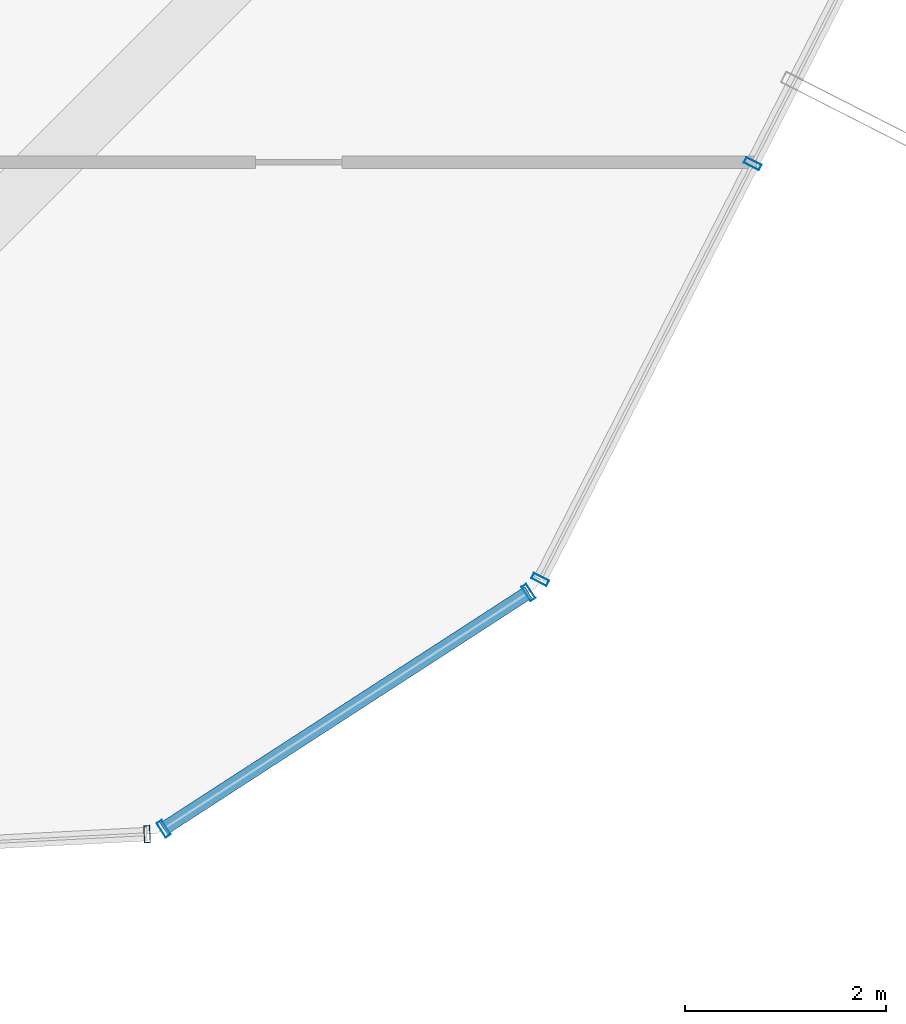
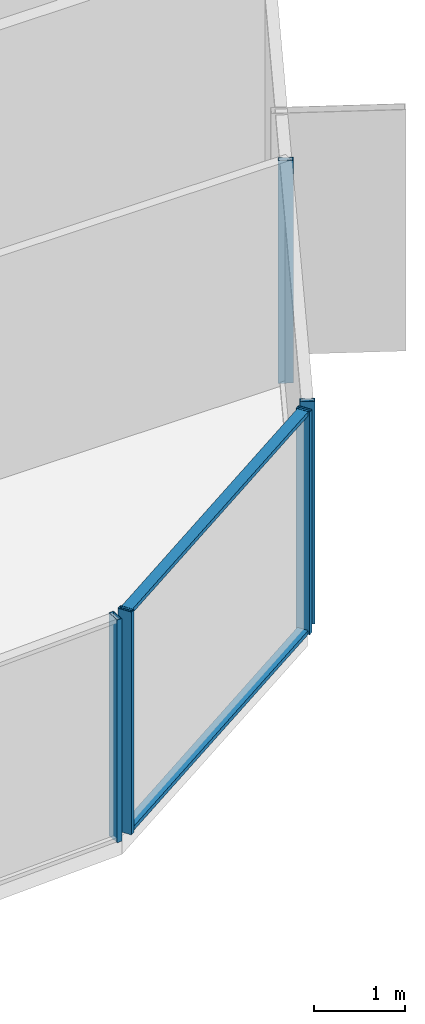
# One storey, part 14 of 37: 7 members, 3 elements without a shape of their own.
"""IFC4 building model written with IfcOpenShell, lengths in metres."""

import ifcopenshell
import ifcopenshell.guid

model = None  # the IFC model being written
_history = None  # IfcOwnerHistory: only IFC2X3 demands one
_inside = {}  # id of a spatial element -> (the spatial element, [elements in it])
_under = {}  # id of a project, library or spatial element -> (it, [spatial elements below it])
_declared = {}  # id of a project -> (the project, [libraries it declares])
_typed = {}  # id of a type object -> (the type object, [elements of that type])
_made_of = {}  # id of a material, layer set ... -> (it, [elements and type objects made of it])


def new_model(schema):
    """Start an empty IFC model of exactly this schema.

    Asked for "IFC4X3", IfcOpenShell would pick the latest addendum, in which some entities
    have other attributes; the version numbers below select the first issue.
    IFC2X3 requires an IfcOwnerHistory on every rooted entity: one is made here for all.
    """
    global model, _history
    if schema == "IFC4X3":
        model = ifcopenshell.file(schema_version=(4, 3, 0, 0))
    else:
        model = ifcopenshell.file(schema=schema)
    _inside.clear()
    _under.clear()
    _declared.clear()
    _typed.clear()
    _made_of.clear()
    _history = None
    if model.schema == "IFC2X3":
        org = make("IfcOrganization", Name="unknown")
        user = make(
            "IfcPersonAndOrganization",
            ThePerson=make("IfcPerson", FamilyName="unknown"),
            TheOrganization=org,
        )
        app = make(
            "IfcApplication",
            ApplicationDeveloper=org,
            Version="unknown",
            ApplicationFullName="unknown",
            ApplicationIdentifier="unknown",
        )
        _history = make(
            "IfcOwnerHistory",
            OwningUser=user,
            OwningApplication=app,
            ChangeAction="ADDED",
            CreationDate=0,
        )
    return model


def make(cls, **values):
    """One entity of the class cls with the attributes given. An attribute that is None is left unset."""
    return model.create_entity(
        cls, **{name: value for name, value in values.items() if value is not None}
    )


def rooted(cls, **values):
    """An entity with a GlobalId (a new one), such as an element, a storey or a relation."""
    return make(cls, GlobalId=ifcopenshell.guid.new(), OwnerHistory=_history, **values)


def si_unit(unit_type, name, prefix=None):
    """IfcSIUnit, for example si_unit("LENGTHUNIT", "METRE", prefix="MILLI")."""
    return make("IfcSIUnit", UnitType=unit_type, Prefix=prefix, Name=name)


def assignment(units):
    """IfcUnitAssignment: the units of a project."""
    return None if units is None else make("IfcUnitAssignment", Units=units)


def point(xyz):
    """IfcCartesianPoint."""
    return None if xyz is None else make("IfcCartesianPoint", Coordinates=xyz)


def direction(xyz):
    """IfcDirection."""
    return None if xyz is None else make("IfcDirection", DirectionRatios=xyz)


def frame(location, z_axis=None, x_axis=None):
    """IfcAxis2Placement3D, a coordinate frame: its origin and axes. An axis left out is left unset."""
    return make(
        "IfcAxis2Placement3D",
        Location=point(location),
        Axis=direction(z_axis),
        RefDirection=direction(x_axis),
    )


def frame_2d(location, x_axis=None):
    """IfcAxis2Placement2D, a coordinate frame in the plane: its origin and x axis."""
    return make(
        "IfcAxis2Placement2D", Location=point(location), RefDirection=direction(x_axis)
    )


def origin():
    """The frame at (0, 0, 0) with its axes left unset."""
    return frame((0.0, 0.0, 0.0))


def origin_2d():
    """The frame at (0, 0) in the plane with its x axis left unset."""
    return frame_2d((0.0, 0.0))


def place(relative_to, where):
    """IfcLocalPlacement: puts the frame where relative to a parent placement (None: the world)."""
    return make(
        "IfcLocalPlacement", PlacementRelTo=relative_to, RelativePlacement=where
    )


def context(
    kind, dimensions, precision=None, world=None, true_north=None, identifier=None
):
    """IfcGeometricRepresentationContext, for example the 3D "Model" context."""
    return make(
        "IfcGeometricRepresentationContext",
        ContextIdentifier=identifier,
        ContextType=kind,
        CoordinateSpaceDimension=dimensions,
        Precision=precision,
        WorldCoordinateSystem=world,
        TrueNorth=true_north,
    )


def subcontext(parent, identifier, kind, view, scale=None):
    """IfcGeometricRepresentationSubContext, for example "Body" below "Model"."""
    return make(
        "IfcGeometricRepresentationSubContext",
        ContextIdentifier=identifier,
        ContextType=kind,
        ParentContext=parent,
        TargetScale=scale,
        TargetView=view,
    )


def project(units=None, contexts=None):
    """IfcProject with its units and contexts."""
    return rooted(
        "IfcProject",
        Name="project",
        RepresentationContexts=contexts,
        UnitsInContext=assignment(units),
    )


def spatial(cls, under=None, at=None, **own):
    """A site, building, storey or space (cls), placed at a placement, below another one or the project."""
    s = rooted(cls, ObjectPlacement=at, **own)
    if under is not None:
        _under.setdefault(under.id(), (under, []))[1].append(s)
    return s


def profile(cls, at=None, kind="AREA", **sizes):
    """A parametric profile (cls). Its sizes go by their IFC names, for example OverallWidth=200.0."""
    return make(cls, ProfileType=kind, Position=at, **sizes)


def hollow_rectangle(**sizes):
    """IfcRectangleHollowProfileDef."""
    return profile("IfcRectangleHollowProfileDef", **sizes)


def extrude(swept, where, along, depth):
    """IfcExtrudedAreaSolid: the profile swept, set in the frame where, extruded along a direction by depth."""
    return make(
        "IfcExtrudedAreaSolid",
        SweptArea=swept,
        Position=where,
        ExtrudedDirection=direction(along),
        Depth=depth,
    )


def shape(context_of_items, identifier, shape_type, items):
    """IfcShapeRepresentation: the items that make up one representation, for example the "Body"."""
    return make(
        "IfcShapeRepresentation",
        ContextOfItems=context_of_items,
        RepresentationIdentifier=identifier,
        RepresentationType=shape_type,
        Items=items,
    )


def source(mapping_origin, context_of_items, identifier, shape_type, items):
    """IfcRepresentationMap: a shape defined once, which mapped items show again and again."""
    return make(
        "IfcRepresentationMap",
        MappingOrigin=mapping_origin,
        MappedRepresentation=shape(context_of_items, identifier, shape_type, items),
    )


def transform(
    local_origin,
    x_axis=None,
    y_axis=None,
    z_axis=None,
    scale=None,
    scale2=None,
    scale3=None,
    uniform=True,
):
    """IfcCartesianTransformationOperator3D, or its non-uniform kind. x_axis, y_axis, z_axis: its Axis1, 2, 3."""
    if uniform:
        return make(
            "IfcCartesianTransformationOperator3D",
            Axis1=direction(x_axis),
            Axis2=direction(y_axis),
            LocalOrigin=point(local_origin),
            Scale=scale,
            Axis3=direction(z_axis),
        )
    return make(
        "IfcCartesianTransformationOperator3DnonUniform",
        Axis1=direction(x_axis),
        Axis2=direction(y_axis),
        LocalOrigin=point(local_origin),
        Scale=scale,
        Axis3=direction(z_axis),
        Scale2=scale2,
        Scale3=scale3,
    )


def mapped(mapping_source, mapping_target):
    """IfcMappedItem: shows the shape of a source again, moved by a transform."""
    return make(
        "IfcMappedItem", MappingSource=mapping_source, MappingTarget=mapping_target
    )


def material(Name=None, Category=None):
    """IfcMaterial."""
    return make("IfcMaterial", Name=Name, Category=Category)


def layer(
    of_material, thickness, ventilated=None, Name=None, Category=None, Priority=None
):
    """IfcMaterialLayer: one layer of a wall or slab, of a material (None: an air gap)."""
    return make(
        "IfcMaterialLayer",
        Material=of_material,
        LayerThickness=thickness,
        IsVentilated=ventilated,
        Name=Name,
        Category=Category,
        Priority=Priority,
    )


def layer_set(layers, Name=None):
    """IfcMaterialLayerSet."""
    return make("IfcMaterialLayerSet", MaterialLayers=layers, LayerSetName=Name)


def material_profile(
    of_material, cross_section, Name=None, Category=None, Priority=None
):
    """IfcMaterialProfile: a cross section and its material."""
    return make(
        "IfcMaterialProfile",
        Name=Name,
        Material=of_material,
        Profile=cross_section,
        Priority=Priority,
        Category=Category,
    )


def profile_set(profiles, Name=None, composite=None):
    """IfcMaterialProfileSet."""
    return make(
        "IfcMaterialProfileSet",
        Name=Name,
        MaterialProfiles=profiles,
        CompositeProfile=composite,
    )


def made_of(thing, what):
    """Note that an element or type object is made of a material, layer set ...; save() writes the relation."""
    if what is not None:
        _made_of.setdefault(what.id(), (what, []))[1].append(thing)
    return thing


def type_object(cls, material=None, **own):
    """A type object (cls), such as IfcWallType, which elements share."""
    return made_of(rooted(cls, **own), material)


def element(
    cls,
    number,
    at=None,
    inside=None,
    cuts=None,
    type_object=None,
    material=None,
    context=None,
    identifier="Body",
    shape_type=None,
    held_by="IfcProductDefinitionShape",
    body=None,
    shapes=None,
    **own,
):
    """One element of the class cls, such as IfcWall. Its Tag is "e" and its number.

    at: its placement. inside: the storey or other place that contains it. cuts: it is an
    opening in that element (IfcRelVoidsElement). A single representation is given by context,
    identifier, shape_type and body (its items); several are given by shapes. held_by: the class
    of the entity that holds the representations. save() writes the other relations.
    """
    e = rooted(cls, Tag="e%d" % number, ObjectPlacement=at, **own)
    if body is not None:
        shapes = [shape(context, identifier, shape_type, body)]
    if shapes is not None:
        e.Representation = make(held_by, Representations=shapes)
    if inside is not None:
        _inside.setdefault(inside.id(), (inside, []))[1].append(e)
    if cuts is not None:
        rooted(
            "IfcRelVoidsElement", RelatingBuildingElement=cuts, RelatedOpeningElement=e
        )
    if type_object is not None:
        _typed.setdefault(type_object.id(), (type_object, []))[1].append(e)
    return made_of(e, material)


def aggregate(whole, parts):
    """IfcRelAggregates: a whole, such as a stair, and the parts it consists of."""
    return rooted("IfcRelAggregates", RelatingObject=whole, RelatedObjects=parts)


def save(model, path):
    """Write the relations noted so far, then the file.

    IfcRelAggregates (storeys below a building ...), IfcRelContainedInSpatialStructure (elements
    in a storey), IfcRelDefinesByType, IfcRelAssociatesMaterial and IfcRelDeclares: one each for
    every whole, place, type object, material and project.
    """
    for whole, parts in _under.values():
        aggregate(whole, parts)
    for where, things in _inside.values():
        rooted(
            "IfcRelContainedInSpatialStructure",
            RelatedElements=things,
            RelatingStructure=where,
        )
    for kind, things in _typed.values():
        rooted("IfcRelDefinesByType", RelatedObjects=things, RelatingType=kind)
    for what, things in _made_of.values():
        rooted("IfcRelAssociatesMaterial", RelatedObjects=things, RelatingMaterial=what)
    for by, libraries in _declared.values():
        rooted("IfcRelDeclares", RelatingContext=by, RelatedDefinitions=libraries)
    model.write(path)


model = new_model("IFC4")

# Units and contexts
model_context = context("Model", 3, precision=1e-05, world=origin(), true_north=direction((0.0, 1.0)))
body_context = subcontext(model_context, "Body", "Model", "MODEL_VIEW")
ifc_project = project(units=[si_unit("LENGTHUNIT", "METRE"), si_unit("AREAUNIT", "SQUARE_METRE"), si_unit("VOLUMEUNIT", "CUBIC_METRE"), si_unit("PLANEANGLEUNIT", "RADIAN"), si_unit("MASSUNIT", "GRAM", prefix="KILO")], contexts=[model_context])

# Site, building, storey
site_placement = place(None, origin())
site = spatial("IfcSite", under=ifc_project, at=site_placement, CompositionType="ELEMENT")
building_placement = place(site_placement, origin())
building = spatial("IfcBuilding", under=site, at=building_placement, Name="Veraguas Prism Commons", CompositionType="ELEMENT")
storey_placement = place(building_placement, frame((0.0, 0.0, 33.800048828125)))
storey = spatial("IfcBuildingStorey", under=building, at=storey_placement, Name="L08", CompositionType="ELEMENT", Elevation=33.800048828125)

# Curtain wall, member
ifc_material = material(Name="Anodised aluminium EN AW-6063 T6", Category="aluminium")
ifc_layer = layer(ifc_material, 0.169921875, Name="Unitised Flush Curtain Wall Zone 1", Category="aluminium")
ifc_layer_set = layer_set([ifc_layer], Name="Anodised aluminium EN AW-6063 T6")
curtain_wall_type = type_object("IfcCurtainWallType", Name="Unitised Flush Curtain Wall Zone 1", PredefinedType="NOTDEFINED", material=ifc_layer_set)
curtain_wall_1_placement = place(storey_placement, origin())
curtain_wall_1 = element("IfcCurtainWall", 1, at=curtain_wall_1_placement, inside=storey, type_object=curtain_wall_type, Name="Tower Facade Curtain Wall L08-F5", PredefinedType="NOTDEFINED")
ifc_material_profile_1 = material_profile(ifc_material, hollow_rectangle(XDim=0.06005859375, YDim=0.169921875, WallThickness=0.00390625, at=origin_2d()), Name="AL60X170X4")
ifc_profile_set_1 = profile_set([ifc_material_profile_1], Name="Anodised aluminium EN AW-6063 T6")
member_type_1 = type_object("IfcMemberType", Name="Curtain Wall Mullion Lower AL 60x170x4", PredefinedType="MULLION", material=ifc_profile_set_1)
shared_shape_1 = source(origin(), body_context, "Body", "SweptSolid", [
    extrude(hollow_rectangle(XDim=0.06005859375, YDim=0.169921875, WallThickness=0.00390625, at=origin_2d()), origin(), (0.0, 0.0, 1.0), 3.0),
])
member_1_placement = place(storey_placement, frame((34.36572265625, 3.720458984375, 0.0), z_axis=(0.0, 0.0, 1.0), x_axis=(0.99868379327, 0.051290165334, 0.0)))
member_1 = element("IfcMember", 2, at=member_1_placement, type_object=member_type_1, Name="CW-Z1 Mullion 5", PredefinedType="MULLION", context=body_context, shape_type="MappedRepresentation", body=[
    mapped(shared_shape_1, transform((0.0, 0.0, 0.0), scale=1.0)),
])
aggregate(curtain_wall_1, [member_1])

# Curtain wall, members
curtain_wall_2_placement = place(storey_placement, origin())
curtain_wall_2 = element("IfcCurtainWall", 3, at=curtain_wall_2_placement, inside=storey, type_object=curtain_wall_type, Name="Tower Facade Curtain Wall L08-F6", PredefinedType="NOTDEFINED")
member_2_placement = place(storey_placement, frame((38.273193359375, 6.251953125, 0.0), z_axis=(0.0, 0.0, 1.0), x_axis=(0.454921756221, 0.890531411976, 0.0)))
member_2 = element("IfcMember", 4, at=member_2_placement, type_object=member_type_1, Name="CW-Z1 Mullion 1", PredefinedType="MULLION", context=body_context, shape_type="MappedRepresentation", body=[
    mapped(shared_shape_1, transform((0.0, 0.0, 0.0), scale=1.0)),
])
member_3_placement = place(storey_placement, frame((40.384521484375, 10.385009765625, 0.0), z_axis=(0.0, 0.0, 1.0), x_axis=(0.454921756221, 0.890531411976, 0.0)))
member_3 = element("IfcMember", 5, at=member_3_placement, type_object=member_type_1, Name="CW-Z1 Mullion 2", PredefinedType="MULLION", context=body_context, shape_type="MappedRepresentation", body=[
    mapped(shared_shape_1, transform((0.0, 0.0, 0.0), scale=1.0)),
])
aggregate(curtain_wall_2, [member_2, member_3])

curtain_wall_3_placement = place(storey_placement, origin())
curtain_wall_3 = element("IfcCurtainWall", 6, at=curtain_wall_3_placement, inside=storey, type_object=curtain_wall_type, Name="Chamfer Curtain Wall L08-C6", PredefinedType="NOTDEFINED")
member_4_placement = place(storey_placement, frame((34.53125, 3.77392578125, 0.0), z_axis=(0.0, 0.0, 1.0), x_axis=(0.839232860242, 0.543772200733, 0.0)))
member_4 = element("IfcMember", 7, at=member_4_placement, type_object=member_type_1, Name="CW-Z1 Mullion 1", PredefinedType="MULLION", context=body_context, shape_type="MappedRepresentation", body=[
    mapped(shared_shape_1, transform((0.0, 0.0, 0.0), scale=1.0)),
])
member_5_placement = place(storey_placement, frame((38.15673828125, 6.123046875, 0.0), z_axis=(0.0, 0.0, 1.0), x_axis=(0.839232860242, 0.543772200733, 0.0)))
member_5 = element("IfcMember", 8, at=member_5_placement, type_object=member_type_1, Name="CW-Z1 Mullion 2", PredefinedType="MULLION", context=body_context, shape_type="MappedRepresentation", body=[
    mapped(shared_shape_1, transform((0.0, 0.0, 0.0), scale=1.0)),
])
ifc_material_profile_2 = material_profile(ifc_material, hollow_rectangle(XDim=0.054931640625, YDim=0.135009765625, WallThickness=0.0029296875, at=origin_2d()), Name="AL55X135X3")
ifc_profile_set_2 = profile_set([ifc_material_profile_2], Name="Anodised aluminium EN AW-6063 T6")
member_type_2 = type_object("IfcMemberType", Name="Curtain Wall Transom Standard AL 55x135x3", PredefinedType="USERDEFINED", material=ifc_profile_set_2)
shared_shape_2 = source(origin(), body_context, "Body", "SweptSolid", [
    extrude(hollow_rectangle(XDim=0.054931640625, YDim=0.135009765625, WallThickness=0.0029296875, at=origin_2d()), origin(), (0.0, 0.0, 1.0), 4.320068359375),
])
member_6_placement = place(storey_placement, frame((34.53125, 3.77392578125, 0.02734375), z_axis=(0.839230358747, 0.543776061405, 0.0), x_axis=(0.0, 0.0, 1.0)))
member_6 = element("IfcMember", 9, at=member_6_placement, type_object=member_type_2, Name="CW-Z1 Transom 1", ObjectType="TRANSOM", PredefinedType="USERDEFINED", context=body_context, shape_type="MappedRepresentation", body=[
    mapped(shared_shape_2, transform((0.0, 0.0, 0.0), scale=1.0)),
])
member_7_placement = place(storey_placement, frame((34.53125, 3.77392578125, 2.972412109375), z_axis=(0.839230358747, 0.543776061405, 0.0), x_axis=(0.0, 0.0, 1.0)))
member_7 = element("IfcMember", 10, at=member_7_placement, type_object=member_type_2, Name="CW-Z1 Transom 2", ObjectType="TRANSOM", PredefinedType="USERDEFINED", context=body_context, shape_type="MappedRepresentation", body=[
    mapped(shared_shape_2, transform((0.0, 0.0, 0.0), scale=1.0)),
])
aggregate(curtain_wall_3, [member_4, member_5, member_6, member_7])

save(model, "model.ifc")
